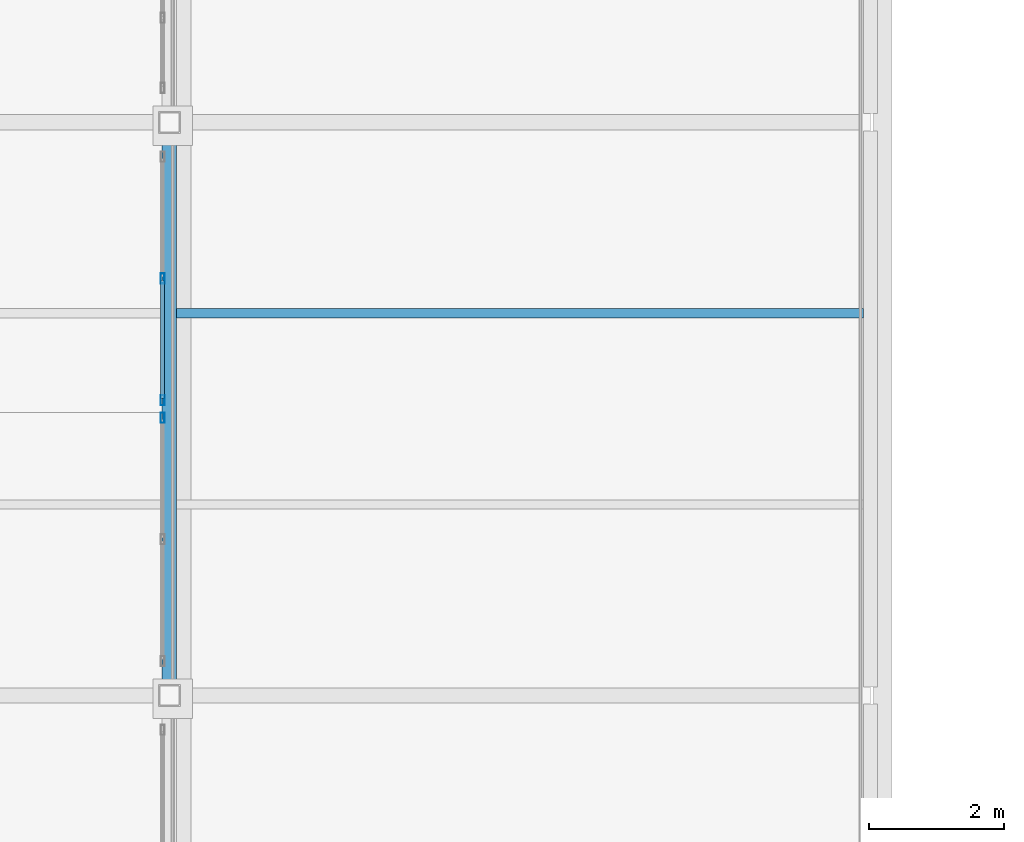
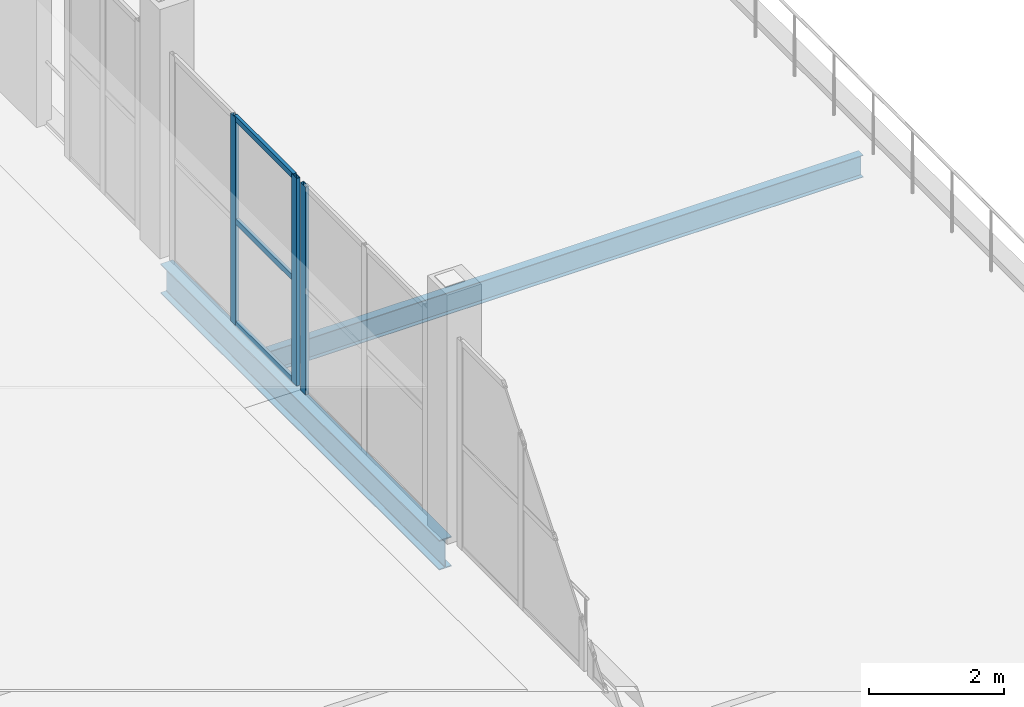
# One storey, part 68 of 156: 6 members, 2 beams, 2 elements without a shape of their own.
"""IFC4 building model written with IfcOpenShell, lengths in metres."""

from ifc_helpers import new_model, si_unit, direction, frame, origin, origin_2d, place, context, subcontext, project, spatial, hollow_rectangle, i_section, extrude, material, material_profile, profile_set, type_object, element, aggregate, save


model = new_model("IFC4")

# Units and contexts
model_context = context("Model", 3, precision=1e-05, world=origin(), true_north=direction((0.0, 1.0)))
body_context = subcontext(model_context, "Body", "Model", "MODEL_VIEW")
ifc_project = project(units=[si_unit("LENGTHUNIT", "METRE"), si_unit("AREAUNIT", "SQUARE_METRE"), si_unit("VOLUMEUNIT", "CUBIC_METRE"), si_unit("PLANEANGLEUNIT", "RADIAN"), si_unit("MASSUNIT", "GRAM", prefix="KILO")], contexts=[model_context])

# Site, building, storey
site_placement = place(None, origin())
site = spatial("IfcSite", under=ifc_project, at=site_placement, CompositionType="ELEMENT")
building_placement = place(site_placement, origin())
building = spatial("IfcBuilding", under=site, at=building_placement, Name="Caurita Quay Ferry Terminal", CompositionType="ELEMENT")
storey_placement = place(building_placement, frame((0.0, 0.0, 5.39990234375)))
storey = spatial("IfcBuildingStorey", under=building, at=storey_placement, Name="L01", CompositionType="ELEMENT", Elevation=5.39990234375)

# Beams
ifc_material_1 = material(Name="Structural steel ASTM A992 Gr. 50", Category="steel")
ifc_material_profile_1 = material_profile(ifc_material_1, i_section(OverallWidth=0.210693359375, OverallDepth=0.53857421875, WebThickness=0.01171875, FlangeThickness=0.018798828125, FilletRadius=0.013916015625, at=origin_2d()), Name="W21X73")
ifc_profile_set_1 = profile_set([ifc_material_profile_1], Name="Structural steel ASTM A992 Gr. 50")
beam_type_1 = type_object("IfcBeamType", Name="BM-GR-W21A", PredefinedType="BEAM", material=ifc_profile_set_1)
beam_1_placement = place(storey_placement, frame((142.800048828125, 17.12939453125, -0.529296875), z_axis=(0.0, 1.0, 0.0), x_axis=(-1.0, 0.0, 0.0)))
element("IfcBeam", 1, at=beam_1_placement, inside=storey, type_object=beam_type_1, Name="L01 Beam BM-V3P-L01-Y-1428-171", PredefinedType="BEAM", context=body_context, shape_type="SweptSolid", body=[
    extrude(i_section(OverallWidth=0.210693359375, OverallDepth=0.53857421875, WebThickness=0.01171875, FlangeThickness=0.018798828125, FilletRadius=0.013916015625, at=origin_2d()), origin(), (0.0, 0.0, 1.0), 8.2412109375),
])
ifc_material_profile_2 = material_profile(ifc_material_1, i_section(OverallWidth=0.139892578125, OverallDepth=0.39892578125, WebThickness=0.00634765625, FlangeThickness=0.0087890625, at=origin_2d()), Name="W16X26")
ifc_profile_set_2 = profile_set([ifc_material_profile_2], Name="Structural steel ASTM A992 Gr. 50")
beam_type_2 = type_object("IfcBeamType", Name="BM-JS-W16C", PredefinedType="JOIST", material=ifc_profile_set_2)
beam_2_placement = place(storey_placement, frame((142.905517578125, 22.666748046875, -0.45947265625), z_axis=(1.0, 0.0, 0.0), x_axis=(0.0, 1.0, 0.0)))
element("IfcBeam", 2, at=beam_2_placement, inside=storey, type_object=beam_type_2, Name="L01 Beam JS-V3P-L01-014", PredefinedType="JOIST", context=body_context, shape_type="SweptSolid", body=[
    extrude(i_section(OverallWidth=0.139892578125, OverallDepth=0.39892578125, WebThickness=0.00634765625, FlangeThickness=0.0087890625, at=origin_2d()), origin(), (0.0, 0.0, 1.0), 10.18896484375),
])

# Curtain wall, member
ifc_material_2 = material(Name="Laminated solar-control insulated glass", Category="glass")
curtain_wall_type = type_object("IfcCurtainWallType", Name="CW-SYS-15", PredefinedType="NOTDEFINED", material=ifc_material_2)
curtain_wall_1_placement = place(storey_placement, origin())
curtain_wall_1 = element("IfcCurtainWall", 3, at=curtain_wall_1_placement, inside=storey, type_object=curtain_wall_type, Name="Boarding Gangway Ribbon Curtain Wall 121", PredefinedType="NOTDEFINED")
ifc_material_3 = material(Name="Anodized aluminium 6063-T6", Category="aluminium")
ifc_material_profile_3 = material_profile(ifc_material_3, hollow_rectangle(XDim=0.06005859375, YDim=0.14990234375, WallThickness=0.00341796875, at=origin_2d()), Name="ALU-MUL-60X150")
ifc_profile_set_3 = profile_set([ifc_material_profile_3], Name="Anodized aluminium 6063-T6")
member_type_1 = type_object("IfcMemberType", Name="CW-MUL-150", PredefinedType="MULLION", material=ifc_profile_set_3)
member_1_placement = place(storey_placement, frame((142.699951171875, 21.1201171875, 0.0), z_axis=(0.0, 0.0, 1.0), x_axis=(-1.0, 0.0, 0.0)))
member_1 = element("IfcMember", 4, at=member_1_placement, type_object=member_type_1, Name="CW-BGW-121 Mullion 3", PredefinedType="MULLION", context=body_context, shape_type="SweptSolid", body=[
    extrude(hollow_rectangle(XDim=0.06005859375, YDim=0.14990234375, WallThickness=0.00341796875, at=origin_2d()), origin(), (0.0, 0.0, 1.0), 3.75),
])
aggregate(curtain_wall_1, [member_1])

# Curtain wall, members
curtain_wall_2_placement = place(storey_placement, origin())
curtain_wall_2 = element("IfcCurtainWall", 5, at=curtain_wall_2_placement, inside=storey, type_object=curtain_wall_type, Name="Boarding Gangway Ribbon Curtain Wall 122", PredefinedType="NOTDEFINED")
member_2_placement = place(storey_placement, frame((142.699951171875, 21.3798828125, 0.0), z_axis=(0.0, 0.0, 1.0), x_axis=(-1.0, 0.0, 0.0)))
member_2 = element("IfcMember", 6, at=member_2_placement, type_object=member_type_1, Name="CW-BGW-122 Mullion 1", PredefinedType="MULLION", context=body_context, shape_type="SweptSolid", body=[
    extrude(hollow_rectangle(XDim=0.06005859375, YDim=0.14990234375, WallThickness=0.00341796875, at=origin_2d()), origin(), (0.0, 0.0, 1.0), 3.75),
])
member_3_placement = place(storey_placement, frame((142.699951171875, 23.18505859375, 0.0), z_axis=(0.0, 0.0, 1.0), x_axis=(-1.0, 0.0, 0.0)))
member_3 = element("IfcMember", 7, at=member_3_placement, type_object=member_type_1, Name="CW-BGW-122 Mullion 2", PredefinedType="MULLION", context=body_context, shape_type="SweptSolid", body=[
    extrude(hollow_rectangle(XDim=0.06005859375, YDim=0.14990234375, WallThickness=0.00341796875, at=origin_2d()), origin(), (0.0, 0.0, 1.0), 3.75),
])
ifc_material_profile_4 = material_profile(ifc_material_3, hollow_rectangle(XDim=0.054931640625, YDim=0.10009765625, WallThickness=0.00341796875, at=origin_2d()), Name="ALU-TRN-55X100")
ifc_profile_set_4 = profile_set([ifc_material_profile_4], Name="Anodized aluminium 6063-T6")
member_type_2 = type_object("IfcMemberType", Name="CW-TRN-100", PredefinedType="USERDEFINED", material=ifc_profile_set_4)
member_4_placement = place(storey_placement, frame((142.699951171875, 21.407958984375, 0.027587890625), z_axis=(0.0, 1.0, 0.0), x_axis=(-1.0, 0.0, 0.0)))
member_4 = element("IfcMember", 8, at=member_4_placement, type_object=member_type_2, Name="CW-BGW-122 Transom 1", ObjectType="TRANSOM", PredefinedType="USERDEFINED", context=body_context, shape_type="SweptSolid", body=[
    extrude(hollow_rectangle(XDim=0.054931640625, YDim=0.10009765625, WallThickness=0.00341796875, at=origin_2d()), origin(), (0.0, 0.0, 1.0), 1.7490234375),
])
member_5_placement = place(storey_placement, frame((142.699951171875, 21.407958984375, 1.875), z_axis=(0.0, 1.0, 0.0), x_axis=(-1.0, 0.0, 0.0)))
member_5 = element("IfcMember", 9, at=member_5_placement, type_object=member_type_2, Name="CW-BGW-122 Transom 2", ObjectType="TRANSOM", PredefinedType="USERDEFINED", context=body_context, shape_type="SweptSolid", body=[
    extrude(hollow_rectangle(XDim=0.054931640625, YDim=0.10009765625, WallThickness=0.00341796875, at=origin_2d()), origin(), (0.0, 0.0, 1.0), 1.7490234375),
])
member_6_placement = place(storey_placement, frame((142.699951171875, 21.407958984375, 3.72265625), z_axis=(0.0, 1.0, 0.0), x_axis=(-1.0, 0.0, 0.0)))
member_6 = element("IfcMember", 10, at=member_6_placement, type_object=member_type_2, Name="CW-BGW-122 Transom 3", ObjectType="TRANSOM", PredefinedType="USERDEFINED", context=body_context, shape_type="SweptSolid", body=[
    extrude(hollow_rectangle(XDim=0.054931640625, YDim=0.10009765625, WallThickness=0.00341796875, at=origin_2d()), origin(), (0.0, 0.0, 1.0), 1.7490234375),
])
aggregate(curtain_wall_2, [member_2, member_3, member_4, member_5, member_6])

save(model, "model.ifc")
